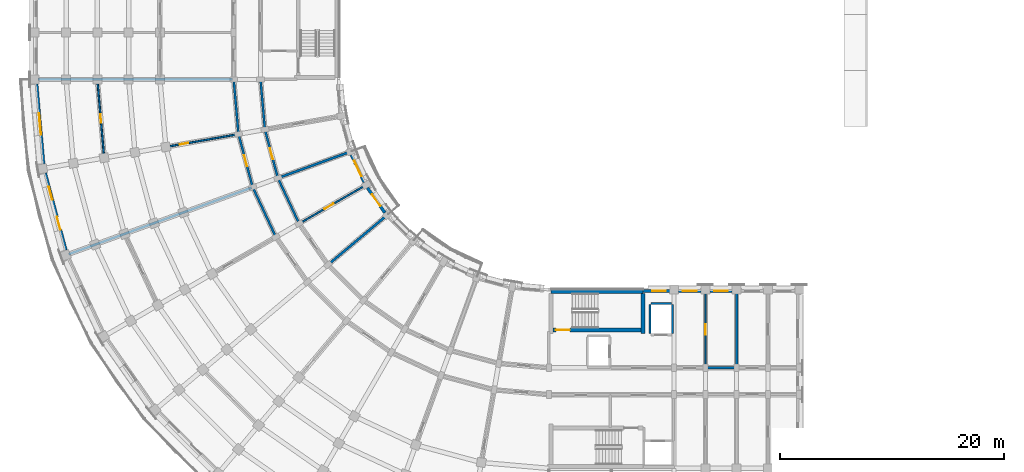
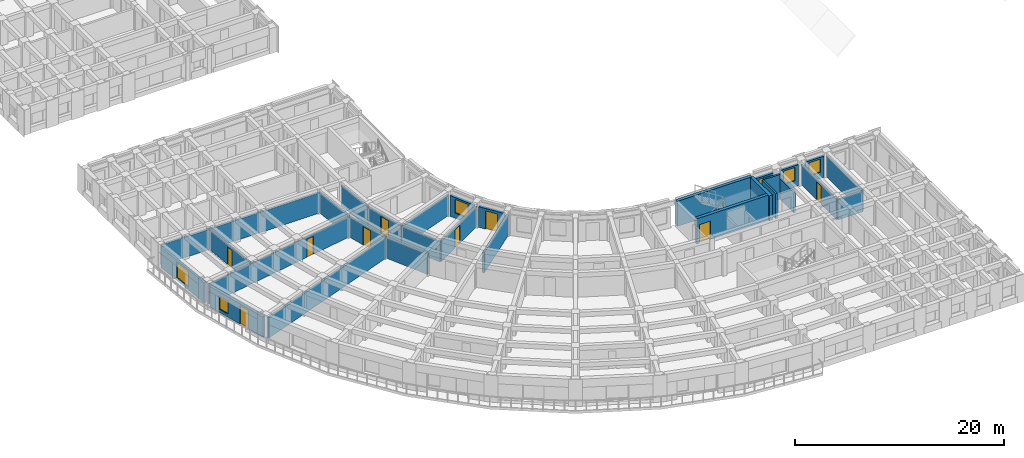
# One storey, part 18 of 54: 29 walls, 9 doors, 6 windows, 15 openings.
"""IFC4 building model written with IfcOpenShell, lengths in metres."""

from ifc_helpers import new_model, si_unit, direction, frame, frame_2d, origin, place, context, subcontext, project, spatial, rectangle, extrude, material, layer, layer_set, type_object, element, fill, save


model = new_model("IFC4")

# Units and contexts
model_context = context("Model", 3, precision=1e-05, world=origin(), true_north=direction((0.0, 1.0)))
body_context = subcontext(model_context, "Body", "Model", "MODEL_VIEW")
ifc_project = project(units=[si_unit("LENGTHUNIT", "METRE"), si_unit("AREAUNIT", "SQUARE_METRE"), si_unit("VOLUMEUNIT", "CUBIC_METRE"), si_unit("PLANEANGLEUNIT", "RADIAN"), si_unit("MASSUNIT", "GRAM", prefix="KILO")], contexts=[model_context])

# Site, building, storey
site_placement = place(None, origin())
site = spatial("IfcSite", under=ifc_project, at=site_placement, CompositionType="ELEMENT")
building_placement = place(site_placement, origin())
building = spatial("IfcBuilding", under=site, at=building_placement, Name="Kiranvali Square Residences", CompositionType="ELEMENT")
storey_placement = place(building_placement, frame((0.0, 0.0, 11.85009765625)))
storey = spatial("IfcBuildingStorey", under=building, at=storey_placement, Name="L03", CompositionType="ELEMENT", Elevation=11.85009765625)

# Walls
ifc_material_1 = material(Name="Autoclaved aerated concrete blockwork masonry", Category="masonry")
ifc_layer_1 = layer(ifc_material_1, 0.199951171875)
ifc_layer_set_1 = layer_set([ifc_layer_1], Name="Autoclaved aerated concrete blockwork masonry")
wall_type_1 = type_object("IfcWallType", Name="WL-COR-200", PredefinedType="STANDARD", material=ifc_layer_set_1)
wall_1_placement = place(storey_placement, frame((62.199951171875, 22.39990234375, 0.0), z_axis=(0.0, 0.0, 1.0), x_axis=(1.0, 0.0, 0.0)))
element("IfcWall", 1, at=wall_1_placement, inside=storey, type_object=wall_type_1, Name="L03 architectural wall WL-L03-C-A1CI-1", PredefinedType="STANDARD", context=body_context, shape_type="SweptSolid", body=[
    extrude(rectangle(XDim=2.800048828125, YDim=0.199951171875, at=frame_2d((1.39990234375, 0.0))), origin(), (0.0, 0.0, 1.0), 2.371826171875),
])
wall_2_placement = place(storey_placement, frame((25.8564453125, 35.300048828125, 0.0), z_axis=(0.0, 0.0, 1.0), x_axis=(-0.422617978463, 0.906307919131, 0.0)))
element("IfcWall", 2, at=wall_2_placement, inside=storey, type_object=wall_type_1, Name="L03 architectural wall WL-L03-C-CCI-6", PredefinedType="STANDARD", context=body_context, shape_type="SweptSolid", body=[
    extrude(rectangle(XDim=4.497314453125, YDim=0.199951171875, at=frame_2d((2.24853515625, 0.0))), origin(), (0.0, 0.0, 1.0), 2.371826171875),
])
wall_3_placement = place(storey_placement, frame((23.778076171875, 34.10009765625, 0.0), z_axis=(0.0, 0.0, 1.0), x_axis=(-0.422629854778, 0.906302381024, 0.0)))
element("IfcWall", 3, at=wall_3_placement, inside=storey, type_object=wall_type_1, Name="L03 architectural wall WL-L03-C-CCO-6", PredefinedType="STANDARD", context=body_context, shape_type="SweptSolid", body=[
    extrude(rectangle(XDim=4.915283203125, YDim=0.199951171875, at=frame_2d((2.45751953125, 0.0))), origin(), (0.0, 0.0, 1.0), 2.371826171875),
])

# Wall, opening, door
wall_4_placement = place(storey_placement, frame((23.955810546875, 39.3759765625, 0.0), z_axis=(0.0, 0.0, 1.0), x_axis=(-0.258787642463, 0.965934240054, 0.0)))
wall_4 = element("IfcWall", 4, at=wall_4_placement, inside=storey, type_object=wall_type_1, Name="L03 architectural wall WL-L03-C-CCI-7", PredefinedType="STANDARD", context=body_context, shape_type="SweptSolid", body=[
    extrude(rectangle(XDim=4.497314453125, YDim=0.199951171875, at=frame_2d((2.24853515625, 0.0))), origin(), (0.0, 0.0, 1.0), 2.371826171875),
])
opening_1_placement = place(wall_4_placement, frame((1.728515625, 0.0, 0.0)))
opening_1 = element("IfcOpeningElement", 5, at=opening_1_placement, cuts=wall_4, Name="Opening FD-APT-60B", PredefinedType="OPENING", context=body_context, shape_type="SweptSolid", body=[
    extrude(rectangle(XDim=1.0400390625, YDim=2.14990234375, at=frame_2d((0.52001953125, 1.074951171875))), frame((0.0, 0.10986328125, 0.0), z_axis=(0.0, -1.0, 0.0), x_axis=(1.0, 0.0, 0.0)), (0.0, 0.0, 1.0), 0.219970703125),
])
ifc_material_2 = material(Name="Fire-rated acoustic hardwood and mineral-core door assembly", Category="wood")
door_type_1 = type_object("IfcDoorType", Name="DR-APT-1040", OperationType="NOTDEFINED", PredefinedType="DOOR", material=ifc_material_2)
door_1_placement = place(opening_1_placement, origin())
door_1 = element("IfcDoor", 6, at=door_1_placement, inside=storey, type_object=door_type_1, Name="L03 door DR-L03-1955 (DR-APT-1040)", OperationType="SINGLE_SWING_LEFT", OverallHeight=2.14990234375, OverallWidth=1.0400390625, PredefinedType="DOOR", context=body_context, shape_type="SweptSolid", body=[
    extrude(rectangle(XDim=1.0400390625, YDim=2.14990234375, at=frame_2d((0.52001953125, 1.074951171875))), frame((0.0, 0.02490234375, 0.0), z_axis=(0.0, -1.0, 0.0), x_axis=(1.0, 0.0, 0.0)), (0.0, 0.0, 1.0), 0.050048828125),
])
fill(opening_1, door_1)

wall_5_placement = place(storey_placement, frame((21.70068359375, 38.554931640625, 0.0), z_axis=(0.0, 0.0, 1.0), x_axis=(-0.258803112091, 0.965930095386, 0.0)))
wall_5 = element("IfcWall", 7, at=wall_5_placement, inside=storey, type_object=wall_type_1, Name="L03 architectural wall WL-L03-C-CCO-7", PredefinedType="STANDARD", context=body_context, shape_type="SweptSolid", body=[
    extrude(rectangle(XDim=4.915771484375, YDim=0.199951171875, at=frame_2d((2.4580078125, 0.0))), origin(), (0.0, 0.0, 1.0), 2.371826171875),
])
opening_2_placement = place(wall_5_placement, frame((1.957763671875, 0.0, 0.0)))
opening_2 = element("IfcOpeningElement", 8, at=opening_2_placement, cuts=wall_5, Name="Opening FD-APT-60", PredefinedType="OPENING", context=body_context, shape_type="SweptSolid", body=[
    extrude(rectangle(XDim=1.0, YDim=2.14990234375, at=frame_2d((0.5, 1.074951171875))), frame((0.0, 0.10986328125, 0.0), z_axis=(0.0, -1.0, 0.0), x_axis=(1.0, 0.0, 0.0)), (0.0, 0.0, 1.0), 0.219970703125),
])
door_type_2 = type_object("IfcDoorType", Name="DR-APT-1000", OperationType="NOTDEFINED", PredefinedType="DOOR", material=ifc_material_2)
door_2_placement = place(opening_2_placement, frame((1.0, 0.0, 0.0), z_axis=(0.0, 0.0, 1.0), x_axis=(-1.0, 0.0, 0.0)))
door_2 = element("IfcDoor", 9, at=door_2_placement, inside=storey, type_object=door_type_2, Name="L03 door DR-L03-1950 (DR-APT-1000)", OperationType="SINGLE_SWING_RIGHT", OverallHeight=2.14990234375, OverallWidth=1.0, PredefinedType="DOOR", context=body_context, shape_type="SweptSolid", body=[
    extrude(rectangle(XDim=1.0, YDim=2.14990234375, at=frame_2d((0.5, 1.074951171875))), frame((0.0, 0.02490234375, 0.0), z_axis=(0.0, -1.0, 0.0), x_axis=(1.0, 0.0, 0.0)), (0.0, 0.0, 1.0), 0.050048828125),
])
fill(opening_2, door_2)

# Walls
wall_6_placement = place(storey_placement, frame((22.7919921875, 43.719970703125, 0.0), z_axis=(0.0, 0.0, 1.0), x_axis=(-0.087187153726, 0.996191949488, 0.0)))
element("IfcWall", 10, at=wall_6_placement, inside=storey, type_object=wall_type_1, Name="L03 architectural wall WL-L03-C-CCI-8", PredefinedType="STANDARD", context=body_context, shape_type="SweptSolid", body=[
    extrude(rectangle(XDim=4.4970703125, YDim=0.199951171875, at=frame_2d((2.24853515625, 0.0))), origin(), (0.0, 0.0, 1.0), 2.371826171875),
])
wall_7_placement = place(storey_placement, frame((20.428466796875, 43.30322265625, 0.0), z_axis=(0.0, 0.0, 1.0), x_axis=(-0.087167566415, 0.996193663584, 0.0)))
element("IfcWall", 11, at=wall_7_placement, inside=storey, type_object=wall_type_1, Name="L03 architectural wall WL-L03-C-CCO-8", PredefinedType="STANDARD", context=body_context, shape_type="SweptSolid", body=[
    extrude(rectangle(XDim=4.91552734375, YDim=0.199951171875, at=frame_2d((2.457763671875, 0.0))), origin(), (0.0, 0.0, 1.0), 2.371826171875),
])
ifc_layer_2 = layer(ifc_material_1, 0.219970703125)
ifc_layer_set_2 = layer_set([ifc_layer_2], Name="Autoclaved aerated concrete blockwork masonry")
wall_type_2 = type_object("IfcWallType", Name="WL-DEM-220", PredefinedType="STANDARD", material=ifc_layer_set_2)
for number, where, z_axis, x_axis, name in (
    (12, (65.0, 29.199951171875, 0.0), (0.0, 0.0, 1.0), (0.0, -1.0, 0.0), "L03 architectural wall WL-L03-C-A1TI-2"),
    (13, (33.645263671875, 35.987060546875, 0.0), (0.0, 0.0, 1.0), (-0.766046761698, -0.642784846501, 0.0), "L03 architectural wall WL-L03-C-RADI-5"),
    (14, (30.345947265625, 41.70166015625, 0.0), (0.0, 0.0, 1.0), (-0.939696231917, -0.342010221662, 0.0), "L03 architectural wall WL-L03-C-RADI-7"),
):
    element("IfcWall", number, at=place(storey_placement, frame(where, z_axis=z_axis, x_axis=x_axis)), inside=storey, type_object=wall_type_2, Name=name, PredefinedType="STANDARD", context=body_context, shape_type="SweptSolid", body=[
        extrude(rectangle(XDim=6.75, YDim=0.219970703125, at=frame_2d((3.375, 0.0))), origin(), (0.0, 0.0, 1.0), 2.371826171875),
    ])
ifc_layer_3 = layer(ifc_material_1, 0.22998046875)
ifc_layer_set_3 = layer_set([ifc_layer_3], Name="Autoclaved aerated concrete blockwork masonry")
wall_type_3 = type_object("IfcWallType", Name="WL-DEM-230", PredefinedType="STANDARD", material=ifc_layer_set_3)
for number, where, z_axis, x_axis, name in (
    (15, (21.606689453125, 38.520751953125, 0.0), (0.0, 0.0, 1.0), (-0.939691901159, -0.342022120477, 0.0), "L03 architectural wall WL-L03-C-RADO-7"),
    (16, (19.89990234375, 48.199951171875, 0.0), (0.0, 0.0, 1.0), (-1.0, 0.0, 0.0), "L03 architectural wall WL-L03-C-RADO-9"),
):
    element("IfcWall", number, at=place(storey_placement, frame(where, z_axis=z_axis, x_axis=x_axis)), inside=storey, type_object=wall_type_3, Name=name, PredefinedType="STANDARD", context=body_context, shape_type="SweptSolid", body=[
        extrude(rectangle(XDim=17.419921875, YDim=0.22998046875, at=frame_2d((8.7099609375, 0.0))), origin(), (0.0, 0.0, 1.0), 2.371826171875),
    ])

# Wall, openings, door, window
ifc_material_3 = material(Name="Breathable lime-rendered clay brick masonry", Category="masonry")
ifc_layer_4 = layer(ifc_material_3, 0.27490234375)
ifc_layer_set_4 = layer_set([ifc_layer_4], Name="Breathable lime-rendered clay brick masonry")
wall_type_4 = type_object("IfcWallType", Name="WL-EXT-275", PredefinedType="STANDARD", material=ifc_layer_set_4)
wall_8_placement = place(storey_placement, frame((4.984375, 32.912109375, 0.0), z_axis=(0.0, 0.0, 1.0), x_axis=(-0.258826933296, 0.965923712619, 0.0)))
wall_8 = element("IfcWall", 17, at=wall_8_placement, inside=storey, type_object=wall_type_4, Name="L03 exterior wall C-L03-CRV-07", PredefinedType="STANDARD", context=body_context, shape_type="SweptSolid", body=[
    extrude(rectangle(XDim=7.1640625, YDim=0.27490234375, at=frame_2d((3.58203125, 0.0))), origin(), (0.0, 0.0, 1.0), 2.371826171875),
])
opening_3_placement = place(wall_8_placement, frame((4.6904296875, 0.0, 0.3720703125)))
opening_3 = element("IfcOpeningElement", 18, at=opening_3_placement, cuts=wall_8, Name="Opening W-06", PredefinedType="OPENING", context=body_context, shape_type="SweptSolid", body=[
    extrude(rectangle(XDim=1.199951171875, YDim=1.5, at=frame_2d((0.60009765625, 0.75))), frame((0.0, 0.1474609375, 0.0), z_axis=(0.0, -1.0, 0.0), x_axis=(1.0, 0.0, 0.0)), (0.0, 0.0, 1.0), 0.294921875),
])
opening_4_placement = place(wall_8_placement, frame((1.907470703125, 0.0, 0.0)))
opening_4 = element("IfcOpeningElement", 19, at=opening_4_placement, cuts=wall_8, Name="Opening ED-BAL-1", PredefinedType="OPENING", context=body_context, shape_type="SweptSolid", body=[
    extrude(rectangle(XDim=1.199951171875, YDim=2.14990234375, at=frame_2d((0.60009765625, 1.074951171875))), frame((0.0, 0.1474609375, 0.0), z_axis=(0.0, -1.0, 0.0), x_axis=(1.0, 0.0, 0.0)), (0.0, 0.0, 1.0), 0.294921875),
])
ifc_material_4 = material(Name="Anodised bronze aluminium framing", Category="aluminium")
door_type_3 = type_object("IfcDoorType", Name="DR-BAL-1200", OperationType="NOTDEFINED", PredefinedType="DOOR", material=ifc_material_4)
door_3_placement = place(opening_4_placement, origin())
door_3 = element("IfcDoor", 20, at=door_3_placement, inside=storey, type_object=door_type_3, Name="L03 balcony terrace door", OperationType="SINGLE_SWING_LEFT", OverallHeight=2.14990234375, OverallWidth=1.199951171875, PredefinedType="DOOR", context=body_context, shape_type="SweptSolid", body=[
    extrude(rectangle(XDim=1.199951171875, YDim=2.14990234375, at=frame_2d((0.60009765625, 1.074951171875))), frame((0.0, 0.02490234375, 0.0), z_axis=(0.0, -1.0, 0.0), x_axis=(1.0, 0.0, 0.0)), (0.0, 0.0, 1.0), 0.050048828125),
])
fill(opening_4, door_3)
ifc_material_5 = material(Name="Solar-control low-e double glazing", Category="glass")
window_type_1 = type_object("IfcWindowType", Name="WIN-RES-1200x1500", PartitioningType="SINGLE_PANEL", PredefinedType="WINDOW", material=ifc_material_5)
window_1_placement = place(opening_3_placement, origin())
window_1 = element("IfcWindow", 21, at=window_1_placement, inside=storey, type_object=window_type_1, Name="L03 recessed window C-L03-CRV-07", OverallHeight=1.5, OverallWidth=1.199951171875, PartitioningType="SINGLE_PANEL", PredefinedType="WINDOW", context=body_context, shape_type="SweptSolid", body=[
    extrude(rectangle(XDim=1.199951171875, YDim=1.5, at=frame_2d((0.60009765625, 0.75))), frame((0.0, 0.030029296875, 0.0), z_axis=(0.0, -1.0, 0.0), x_axis=(1.0, 0.0, 0.0)), (0.0, 0.0, 1.0), 0.06005859375),
])
fill(opening_3, window_1)

# Wall, opening, window
wall_9_placement = place(storey_placement, frame((2.986083984375, 40.648681640625, 0.0), z_axis=(0.0, 0.0, 1.0), x_axis=(-0.08713989423, 0.99619608453, 0.0)))
wall_9 = element("IfcWall", 22, at=wall_9_placement, inside=storey, type_object=wall_type_4, Name="L03 exterior wall C-L03-CRV-08", PredefinedType="STANDARD", context=body_context, shape_type="SweptSolid", body=[
    extrude(rectangle(XDim=7.1640625, YDim=0.27490234375, at=frame_2d((3.58203125, 0.0))), origin(), (0.0, 0.0, 1.0), 2.371826171875),
])
opening_5_placement = place(wall_9_placement, frame((2.60693359375, 0.0, 0.322021484375)))
opening_5 = element("IfcOpeningElement", 23, at=opening_5_placement, cuts=wall_9, Name="Opening W-12", PredefinedType="OPENING", context=body_context, shape_type="SweptSolid", body=[
    extrude(rectangle(XDim=1.949951171875, YDim=1.85009765625, at=frame_2d((0.97509765625, 0.925048828125))), frame((0.0, 0.1474609375, 0.0), z_axis=(0.0, -1.0, 0.0), x_axis=(1.0, 0.0, 0.0)), (0.0, 0.0, 1.0), 0.294921875),
])
window_type_2 = type_object("IfcWindowType", Name="WIN-RES-1950x1850", PartitioningType="DOUBLE_PANEL_VERTICAL", PredefinedType="WINDOW", material=ifc_material_5)
window_2_placement = place(opening_5_placement, origin())
window_2 = element("IfcWindow", 24, at=window_2_placement, inside=storey, type_object=window_type_2, Name="L03 recessed window C-L03-CRV-08", OverallHeight=1.85009765625, OverallWidth=1.949951171875, PartitioningType="DOUBLE_PANEL_VERTICAL", PredefinedType="WINDOW", context=body_context, shape_type="SweptSolid", body=[
    extrude(rectangle(XDim=1.949951171875, YDim=1.85009765625, at=frame_2d((0.97509765625, 0.925048828125))), frame((0.0, 0.030029296875, 0.0), z_axis=(0.0, -1.0, 0.0), x_axis=(1.0, 0.0, 0.0)), (0.0, 0.0, 1.0), 0.06005859375),
])
fill(opening_5, window_2)

# Wall, opening, door
wall_10_placement = place(storey_placement, frame((33.535400390625, 36.27294921875, 0.0), z_axis=(0.0, 0.0, 1.0), x_axis=(-0.573546755948, 0.81917282593, 0.0)))
wall_10 = element("IfcWall", 25, at=wall_10_placement, inside=storey, type_object=wall_type_4, Name="L03 exterior wall C-L03-GDN-05", PredefinedType="STANDARD", context=body_context, shape_type="SweptSolid", body=[
    extrude(rectangle(XDim=2.717529296875, YDim=0.27490234375, at=frame_2d((1.35888671875, 0.0))), origin(), (0.0, 0.0, 1.0), 2.421875),
])
opening_6_placement = place(wall_10_placement, frame((0.728759765625, 0.0, 0.0)))
opening_6 = element("IfcOpeningElement", 26, at=opening_6_placement, cuts=wall_10, Name="Opening ED-BAL-2", PredefinedType="OPENING", context=body_context, shape_type="SweptSolid", body=[
    extrude(rectangle(XDim=1.260009765625, YDim=2.14990234375, at=frame_2d((0.6298828125, 1.074951171875))), frame((0.0, 0.1474609375, 0.0), z_axis=(0.0, -1.0, 0.0), x_axis=(1.0, 0.0, 0.0)), (0.0, 0.0, 1.0), 0.294921875),
])
door_type_4 = type_object("IfcDoorType", Name="DR-BAL-1260", OperationType="NOTDEFINED", PredefinedType="DOOR", material=ifc_material_4)
door_4_placement = place(opening_6_placement, frame((1.260009765625, 0.0, 0.0), z_axis=(0.0, 0.0, 1.0), x_axis=(-1.0, 0.0, 0.0)))
door_4 = element("IfcDoor", 27, at=door_4_placement, inside=storey, type_object=door_type_4, Name="L03 balcony terrace door", OperationType="SINGLE_SWING_LEFT", OverallHeight=2.14990234375, OverallWidth=1.260009765625, PredefinedType="DOOR", context=body_context, shape_type="SweptSolid", body=[
    extrude(rectangle(XDim=1.260009765625, YDim=2.14990234375, at=frame_2d((0.6298828125, 1.074951171875))), frame((0.0, 0.02490234375, 0.0), z_axis=(0.0, -1.0, 0.0), x_axis=(1.0, 0.0, 0.0)), (0.0, 0.0, 1.0), 0.050048828125),
])
fill(opening_6, door_4)

# Wall, opening, window
wall_11_placement = place(storey_placement, frame((31.687255859375, 39.000732421875, 0.0), z_axis=(0.0, 0.0, 1.0), x_axis=(-0.422610022166, 0.906311629168, 0.0)))
wall_11 = element("IfcWall", 28, at=wall_11_placement, inside=storey, type_object=wall_type_4, Name="L03 exterior wall C-L03-GDN-06", PredefinedType="STANDARD", context=body_context, shape_type="SweptSolid", body=[
    extrude(rectangle(XDim=2.717529296875, YDim=0.27490234375, at=frame_2d((1.35888671875, 0.0))), origin(), (0.0, 0.0, 1.0), 2.421875),
])
opening_7_placement = place(wall_11_placement, frame((0.583740234375, 0.0, 0.6220703125)))
opening_7 = element("IfcOpeningElement", 29, at=opening_7_placement, cuts=wall_11, Name="Opening W-18", PredefinedType="OPENING", context=body_context, shape_type="SweptSolid", body=[
    extrude(rectangle(XDim=1.550048828125, YDim=1.60009765625, at=frame_2d((0.77490234375, 0.800048828125))), frame((0.0, 0.1474609375, 0.0), z_axis=(0.0, -1.0, 0.0), x_axis=(1.0, 0.0, 0.0)), (0.0, 0.0, 1.0), 0.294921875),
])
window_type_3 = type_object("IfcWindowType", Name="WIN-GDN-1550x1600", PartitioningType="DOUBLE_PANEL_VERTICAL", PredefinedType="WINDOW", material=ifc_material_5)
window_3_placement = place(opening_7_placement, origin())
window_3 = element("IfcWindow", 30, at=window_3_placement, inside=storey, type_object=window_type_3, Name="L03 recessed window C-L03-GDN-06", OverallHeight=1.60009765625, OverallWidth=1.550048828125, PartitioningType="DOUBLE_PANEL_VERTICAL", PredefinedType="WINDOW", context=body_context, shape_type="SweptSolid", body=[
    extrude(rectangle(XDim=1.550048828125, YDim=1.60009765625, at=frame_2d((0.77490234375, 0.800048828125))), frame((0.0, 0.030029296875, 0.0), z_axis=(0.0, -1.0, 0.0), x_axis=(1.0, 0.0, 0.0)), (0.0, 0.0, 1.0), 0.06005859375),
])
fill(opening_7, window_3)

wall_12_placement = place(storey_placement, frame((56.62841796875, 29.27490234375, 0.0), z_axis=(0.0, 0.0, 1.0), x_axis=(1.0, 0.0, 0.0)))
wall_12 = element("IfcWall", 31, at=wall_12_placement, inside=storey, type_object=wall_type_4, Name="L03 exterior wall C-L03-A1IN-0", PredefinedType="STANDARD", context=body_context, shape_type="SweptSolid", body=[
    extrude(rectangle(XDim=2.421630859375, YDim=0.27490234375, at=frame_2d((1.2109375, 0.0))), origin(), (0.0, 0.0, 1.0), 2.471923828125),
])
opening_8_placement = place(wall_12_placement, frame((0.821533203125, 0.0, 0.77197265625)))
opening_8 = element("IfcOpeningElement", 32, at=opening_8_placement, cuts=wall_12, Name="Opening W-06", PredefinedType="OPENING", context=body_context, shape_type="SweptSolid", body=[
    extrude(rectangle(XDim=1.199951171875, YDim=1.5, at=frame_2d((0.60009765625, 0.75))), frame((0.0, 0.1474609375, 0.0), z_axis=(0.0, -1.0, 0.0), x_axis=(1.0, 0.0, 0.0)), (0.0, 0.0, 1.0), 0.294921875),
])
window_4_placement = place(opening_8_placement, origin())
window_4 = element("IfcWindow", 33, at=window_4_placement, inside=storey, type_object=window_type_1, Name="L03 recessed window C-L03-A1IN-0", OverallHeight=1.5, OverallWidth=1.199951171875, PartitioningType="SINGLE_PANEL", PredefinedType="WINDOW", context=body_context, shape_type="SweptSolid", body=[
    extrude(rectangle(XDim=1.199951171875, YDim=1.5, at=frame_2d((0.60009765625, 0.75))), frame((0.0, 0.030029296875, 0.0), z_axis=(0.0, -1.0, 0.0), x_axis=(1.0, 0.0, 0.0)), (0.0, 0.0, 1.0), 0.06005859375),
])
fill(opening_8, window_4)

wall_13_placement = place(storey_placement, frame((59.803466796875, 29.27490234375, 0.0), z_axis=(0.0, 0.0, 1.0), x_axis=(1.0, 0.0, 0.0)))
wall_13 = element("IfcWall", 34, at=wall_13_placement, inside=storey, type_object=wall_type_4, Name="L03 exterior wall C-L03-A1I-0", PredefinedType="STANDARD", context=body_context, shape_type="SweptSolid", body=[
    extrude(rectangle(XDim=1.992919921875, YDim=0.27490234375, at=frame_2d((0.99658203125, 0.0))), origin(), (0.0, 0.0, 1.0), 2.471923828125),
])
opening_9_placement = place(wall_13_placement, frame((0.37158203125, 0.0, 0.721923828125)))
opening_9 = element("IfcOpeningElement", 35, at=opening_9_placement, cuts=wall_13, Name="Opening W-19", PredefinedType="OPENING", context=body_context, shape_type="SweptSolid", body=[
    extrude(rectangle(XDim=1.25, YDim=1.550048828125, at=frame_2d((0.625, 0.77490234375))), frame((0.0, 0.1474609375, 0.0), z_axis=(0.0, -1.0, 0.0), x_axis=(1.0, 0.0, 0.0)), (0.0, 0.0, 1.0), 0.294921875),
])
window_type_4 = type_object("IfcWindowType", Name="WIN-GDN-1250x1550", PartitioningType="SINGLE_PANEL", PredefinedType="WINDOW", material=ifc_material_5)
window_5_placement = place(opening_9_placement, origin())
window_5 = element("IfcWindow", 36, at=window_5_placement, inside=storey, type_object=window_type_4, Name="L03 recessed window C-L03-A1I-0", OverallHeight=1.550048828125, OverallWidth=1.25, PartitioningType="SINGLE_PANEL", PredefinedType="WINDOW", context=body_context, shape_type="SweptSolid", body=[
    extrude(rectangle(XDim=1.25, YDim=1.550048828125, at=frame_2d((0.625, 0.77490234375))), frame((0.0, 0.030029296875, 0.0), z_axis=(0.0, -1.0, 0.0), x_axis=(1.0, 0.0, 0.0)), (0.0, 0.0, 1.0), 0.06005859375),
])
fill(opening_9, window_5)

wall_14_placement = place(storey_placement, frame((62.603515625, 29.27490234375, 0.0), z_axis=(0.0, 0.0, 1.0), x_axis=(1.0, 0.0, 0.0)))
wall_14 = element("IfcWall", 37, at=wall_14_placement, inside=storey, type_object=wall_type_4, Name="L03 exterior wall C-L03-A1I-1", PredefinedType="STANDARD", context=body_context, shape_type="SweptSolid", body=[
    extrude(rectangle(XDim=1.992919921875, YDim=0.27490234375, at=frame_2d((0.99658203125, 0.0))), origin(), (0.0, 0.0, 1.0), 2.471923828125),
])
opening_10_placement = place(wall_14_placement, frame((0.37158203125, 0.0, 0.721923828125)))
opening_10 = element("IfcOpeningElement", 38, at=opening_10_placement, cuts=wall_14, Name="Opening W-19", PredefinedType="OPENING", context=body_context, shape_type="SweptSolid", body=[
    extrude(rectangle(XDim=1.25, YDim=1.550048828125, at=frame_2d((0.625, 0.77490234375))), frame((0.0, 0.1474609375, 0.0), z_axis=(0.0, -1.0, 0.0), x_axis=(1.0, 0.0, 0.0)), (0.0, 0.0, 1.0), 0.294921875),
])
window_6_placement = place(opening_10_placement, origin())
window_6 = element("IfcWindow", 39, at=window_6_placement, inside=storey, type_object=window_type_4, Name="L03 recessed window C-L03-A1I-1", OverallHeight=1.550048828125, OverallWidth=1.25, PartitioningType="SINGLE_PANEL", PredefinedType="WINDOW", context=body_context, shape_type="SweptSolid", body=[
    extrude(rectangle(XDim=1.25, YDim=1.550048828125, at=frame_2d((0.625, 0.77490234375))), frame((0.0, 0.030029296875, 0.0), z_axis=(0.0, -1.0, 0.0), x_axis=(1.0, 0.0, 0.0)), (0.0, 0.0, 1.0), 0.06005859375),
])
fill(opening_10, window_6)

# Wall, opening, door
ifc_material_6 = material(Name="Acoustic gypsum board drylined partition", Category="gypsum")
ifc_layer_5 = layer(ifc_material_6, 0.14990234375)
ifc_layer_set_5 = layer_set([ifc_layer_5], Name="Acoustic gypsum board drylined partition")
wall_type_5 = type_object("IfcWallType", Name="WL-PRT-150", PredefinedType="PARTITIONING", material=ifc_layer_set_5)
wall_15_placement = place(storey_placement, frame((62.199951171875, 29.199951171875, 0.0), z_axis=(0.0, 0.0, 1.0), x_axis=(0.0, -1.0, 0.0)))
wall_15 = element("IfcWall", 40, at=wall_15_placement, inside=storey, type_object=wall_type_5, Name="L03 architectural wall WL-L03-C-A1TI-1", PredefinedType="PARTITIONING", context=body_context, shape_type="SweptSolid", body=[
    extrude(rectangle(XDim=6.75, YDim=0.14990234375, at=frame_2d((3.375, 0.0))), origin(), (0.0, 0.0, 1.0), 2.371826171875),
])
opening_11_placement = place(wall_15_placement, frame((2.925048828125, 0.0, 0.0)))
opening_11 = element("IfcOpeningElement", 41, at=opening_11_placement, cuts=wall_15, Name="Opening ID-1", PredefinedType="OPENING", context=body_context, shape_type="SweptSolid", body=[
    extrude(rectangle(XDim=0.89990234375, YDim=2.10009765625, at=frame_2d((0.449951171875, 1.050048828125))), frame((0.0, 0.0849609375, 0.0), z_axis=(0.0, -1.0, 0.0), x_axis=(1.0, 0.0, 0.0)), (0.0, 0.0, 1.0), 0.169921875),
])
ifc_material_7 = material(Name="Solid seasoned teak hardwood joinery", Category="wood")
door_type_5 = type_object("IfcDoorType", Name="DR-INT-900", OperationType="NOTDEFINED", PredefinedType="DOOR", material=ifc_material_7)
door_5_placement = place(opening_11_placement, frame((0.89990234375, 0.0, 0.0), z_axis=(0.0, 0.0, 1.0), x_axis=(-1.0, 0.0, 0.0)))
door_5 = element("IfcDoor", 42, at=door_5_placement, inside=storey, type_object=door_type_5, Name="L03 door DR-L03-1926 (DR-INT-900)", OperationType="SINGLE_SWING_RIGHT", OverallHeight=2.10009765625, OverallWidth=0.89990234375, PredefinedType="DOOR", context=body_context, shape_type="SweptSolid", body=[
    extrude(rectangle(XDim=0.89990234375, YDim=2.10009765625, at=frame_2d((0.449951171875, 1.050048828125))), frame((0.0, 0.02490234375, 0.0), z_axis=(0.0, -1.0, 0.0), x_axis=(1.0, 0.0, 0.0)), (0.0, 0.0, 1.0), 0.050048828125),
])
fill(opening_11, door_5)

wall_16_placement = place(storey_placement, frame((31.74560546875, 38.699951171875, 0.0), z_axis=(0.0, 0.0, 1.0), x_axis=(-0.866026575979, -0.499997969693, 0.0)))
wall_16 = element("IfcWall", 43, at=wall_16_placement, inside=storey, type_object=wall_type_5, Name="L03 architectural wall WL-L03-C-RADI-6", PredefinedType="PARTITIONING", context=body_context, shape_type="SweptSolid", body=[
    extrude(rectangle(XDim=6.75, YDim=0.14990234375, at=frame_2d((3.375, 0.0))), origin(), (0.0, 0.0, 1.0), 2.371826171875),
])
opening_12_placement = place(wall_16_placement, frame((3.242431640625, 0.0, 0.0)))
opening_12 = element("IfcOpeningElement", 44, at=opening_12_placement, cuts=wall_16, Name="Opening ID-2", PredefinedType="OPENING", context=body_context, shape_type="SweptSolid", body=[
    extrude(rectangle(XDim=0.93994140625, YDim=2.10009765625, at=frame_2d((0.469970703125, 1.050048828125))), frame((0.0, 0.0849609375, 0.0), z_axis=(0.0, -1.0, 0.0), x_axis=(1.0, 0.0, 0.0)), (0.0, 0.0, 1.0), 0.169921875),
])
door_type_6 = type_object("IfcDoorType", Name="DR-INT-940", OperationType="NOTDEFINED", PredefinedType="DOOR", material=ifc_material_7)
door_6_placement = place(opening_12_placement, origin())
door_6 = element("IfcDoor", 45, at=door_6_placement, inside=storey, type_object=door_type_6, Name="L03 door DR-L03-1939 (DR-INT-940)", OperationType="SINGLE_SWING_LEFT", OverallHeight=2.10009765625, OverallWidth=0.93994140625, PredefinedType="DOOR", context=body_context, shape_type="SweptSolid", body=[
    extrude(rectangle(XDim=0.93994140625, YDim=2.10009765625, at=frame_2d((0.469970703125, 1.050048828125))), frame((0.0, 0.02490234375, 0.0), z_axis=(0.0, -1.0, 0.0), x_axis=(1.0, 0.0, 0.0)), (0.0, 0.0, 1.0), 0.050048828125),
])
fill(opening_12, door_6)

wall_17_placement = place(storey_placement, frame((20.329833984375, 43.28564453125, 0.0), z_axis=(0.0, 0.0, 1.0), x_axis=(-0.984808098809, -0.173646216546, 0.0)))
wall_17 = element("IfcWall", 46, at=wall_17_placement, inside=storey, type_object=wall_type_5, Name="L03 architectural wall WL-L03-C-RADO-8", PredefinedType="PARTITIONING", context=body_context, shape_type="SweptSolid", body=[
    extrude(rectangle(XDim=17.419921875, YDim=0.14990234375, at=frame_2d((8.7099609375, 0.0))), origin(), (0.0, 0.0, 1.0), 2.371826171875),
])
opening_13_placement = place(wall_17_placement, frame((4.44970703125, 0.0, 0.0)))
opening_13 = element("IfcOpeningElement", 47, at=opening_13_placement, cuts=wall_17, Name="Opening ID-WET", PredefinedType="OPENING", context=body_context, shape_type="SweptSolid", body=[
    extrude(rectangle(XDim=0.800048828125, YDim=2.10009765625, at=frame_2d((0.39990234375, 1.050048828125))), frame((0.0, 0.0849609375, 0.0), z_axis=(0.0, -1.0, 0.0), x_axis=(1.0, 0.0, 0.0)), (0.0, 0.0, 1.0), 0.169921875),
])
door_type_7 = type_object("IfcDoorType", Name="DR-WET-800", OperationType="NOTDEFINED", PredefinedType="DOOR", material=ifc_material_7)
door_7_placement = place(opening_13_placement, frame((0.800048828125, 0.0, 0.0), z_axis=(0.0, 0.0, 1.0), x_axis=(-1.0, 0.0, 0.0)))
door_7 = element("IfcDoor", 48, at=door_7_placement, inside=storey, type_object=door_type_7, Name="L03 door DR-L03-1942 (DR-WET-800)", OperationType="SINGLE_SWING_RIGHT", OverallHeight=2.10009765625, OverallWidth=0.800048828125, PredefinedType="DOOR", context=body_context, shape_type="SweptSolid", body=[
    extrude(rectangle(XDim=0.800048828125, YDim=2.10009765625, at=frame_2d((0.39990234375, 1.050048828125))), frame((0.0, 0.02490234375, 0.0), z_axis=(0.0, -1.0, 0.0), x_axis=(1.0, 0.0, 0.0)), (0.0, 0.0, 1.0), 0.050048828125),
])
fill(opening_13, door_7)

# Walls
ifc_layer_6 = layer(ifc_material_1, 0.199951171875)
ifc_layer_set_6 = layer_set([ifc_layer_6], Name="Autoclaved aerated concrete blockwork masonry")
wall_type_6 = type_object("IfcWallType", Name="WL-SHF-200", PredefinedType="STANDARD", material=ifc_layer_set_6)
wall_18_placement = place(storey_placement, frame((57.25, 28.050048828125, 0.0), z_axis=(0.0, 0.0, 1.0), x_axis=(0.0, -1.0, 0.0)))
element("IfcWall", 49, at=wall_18_placement, inside=storey, type_object=wall_type_6, Name="L03 architectural wall WL-L03-C-LP1-S1", PredefinedType="STANDARD", context=body_context, shape_type="SweptSolid", body=[
    extrude(rectangle(XDim=2.60009765625, YDim=0.199951171875, at=frame_2d((1.300048828125, 0.0))), origin(), (0.0, 0.0, 1.0), 2.929931640625),
])
wall_19_placement = place(storey_placement, frame((59.25, 28.050048828125, 0.0), z_axis=(0.0, 0.0, 1.0), x_axis=(0.0, -1.0, 0.0)))
element("IfcWall", 50, at=wall_19_placement, inside=storey, type_object=wall_type_6, Name="L03 architectural wall WL-L03-C-LP1-B", PredefinedType="STANDARD", context=body_context, shape_type="SweptSolid", body=[
    extrude(rectangle(XDim=2.60009765625, YDim=0.199951171875, at=frame_2d((1.300048828125, 0.0))), origin(), (0.0, 0.0, 1.0), 2.371826171875),
])
wall_20_placement = place(storey_placement, frame((57.35009765625, 28.14990234375, 0.0), z_axis=(0.0, 0.0, 1.0), x_axis=(1.0, 0.0, 0.0)))
element("IfcWall", 51, at=wall_20_placement, inside=storey, type_object=wall_type_6, Name="L03 architectural wall WL-L03-C-LP1-S2", PredefinedType="STANDARD", context=body_context, shape_type="SweptSolid", body=[
    extrude(rectangle(XDim=1.7998046875, YDim=0.199951171875, at=frame_2d((0.89990234375, 0.0))), origin(), (0.0, 0.0, 1.0), 2.929931640625),
])
ifc_material_8 = material(Name="Concrete M50 (50 MPa)", Category="concrete")
ifc_layer_7 = layer(ifc_material_8, 0.35009765625)
ifc_layer_set_7 = layer_set([ifc_layer_7], Name="Concrete M50 (50 MPa)")
wall_type_7 = type_object("IfcWallType", Name="WL-SHR-350", PredefinedType="SHEAR", material=ifc_layer_set_7)
wall_21_placement = place(storey_placement, frame((48.375, 29.22509765625, 0.0), z_axis=(0.0, 0.0, 1.0), x_axis=(1.0, 0.0, 0.0)))
element("IfcWall", 52, at=wall_21_placement, inside=storey, type_object=wall_type_7, Name="Block C core shear wall SW-C2-OUT-L03", PredefinedType="SHEAR", context=body_context, shape_type="SweptSolid", body=[
    extrude(rectangle(XDim=8.25, YDim=0.35009765625, at=frame_2d((4.125, 0.0))), origin(), (0.0, 0.0, 1.0), 2.929931640625),
])

# Wall, opening, door
wall_22_placement = place(storey_placement, frame((48.550048828125, 25.77490234375, 0.0), z_axis=(0.0, 0.0, 1.0), x_axis=(1.0, 0.0, 0.0)))
wall_22 = element("IfcWall", 53, at=wall_22_placement, inside=storey, type_object=wall_type_7, Name="Block C core shear wall SW-C2-IN-L03", PredefinedType="SHEAR", context=body_context, shape_type="SweptSolid", body=[
    extrude(rectangle(XDim=7.89990234375, YDim=0.35009765625, at=frame_2d((3.949951171875, 0.0))), origin(), (0.0, 0.0, 1.0), 2.929931640625),
])
opening_14_placement = place(wall_22_placement, frame((0.280029296875, 0.0, 0.0)))
opening_14 = element("IfcOpeningElement", 54, at=opening_14_placement, cuts=wall_22, Name="Opening FD-ST-120", PredefinedType="OPENING", context=body_context, shape_type="SweptSolid", body=[
    extrude(rectangle(XDim=1.239990234375, YDim=2.14990234375, at=frame_2d((0.6201171875, 1.074951171875))), frame((0.0, 0.18505859375, 0.0), z_axis=(0.0, -1.0, 0.0), x_axis=(1.0, 0.0, 0.0)), (0.0, 0.0, 1.0), 0.3701171875),
])
door_type_8 = type_object("IfcDoorType", Name="DR-FD120-1200", OperationType="NOTDEFINED", PredefinedType="DOOR", material=ifc_material_2)
door_8_placement = place(opening_14_placement, origin())
door_8 = element("IfcDoor", 55, at=door_8_placement, inside=storey, type_object=door_type_8, Name="L03 door DR-L03-1909 (DR-FD120-1200)", OperationType="SINGLE_SWING_LEFT", OverallHeight=2.14990234375, OverallWidth=1.239990234375, PredefinedType="DOOR", context=body_context, shape_type="SweptSolid", body=[
    extrude(rectangle(XDim=1.239990234375, YDim=2.14990234375, at=frame_2d((0.6201171875, 1.074951171875))), frame((0.0, 0.02490234375, 0.0), z_axis=(0.0, -1.0, 0.0), x_axis=(1.0, 0.0, 0.0)), (0.0, 0.0, 1.0), 0.050048828125),
])
fill(opening_14, door_8)

# Wall
wall_23_placement = place(storey_placement, frame((56.625, 29.050048828125, 0.0), z_axis=(0.0, 0.0, 1.0), x_axis=(0.0, -1.0, 0.0)))
element("IfcWall", 56, at=wall_23_placement, inside=storey, type_object=wall_type_7, Name="Block C core shear wall SW-C2-FAR-L03", PredefinedType="SHEAR", context=body_context, shape_type="SweptSolid", body=[
    extrude(rectangle(XDim=3.60009765625, YDim=0.35009765625, at=frame_2d((1.800048828125, 0.0))), origin(), (0.0, 0.0, 1.0), 2.929931640625),
])

# Wall, opening, door
ifc_layer_8 = layer(ifc_material_1, 0.14990234375)
ifc_layer_set_8 = layer_set([ifc_layer_8], Name="Autoclaved aerated concrete blockwork masonry")
wall_type_8 = type_object("IfcWallType", Name="WL-WET-150", PredefinedType="PLUMBINGWALL", material=ifc_layer_set_8)
wall_24_placement = place(storey_placement, frame((8.413818359375, 41.1845703125, 0.0), z_axis=(0.0, 0.0, 1.0), x_axis=(-0.087156198737, 0.996194658198, 0.0)))
wall_24 = element("IfcWall", 57, at=wall_24_placement, inside=storey, type_object=wall_type_8, Name="L03 architectural wall WL-L03-C-CWET-8", PredefinedType="PLUMBINGWALL", context=body_context, shape_type="SweptSolid", body=[
    extrude(rectangle(XDim=7.042236328125, YDim=0.14990234375, at=frame_2d((3.52099609375, 0.0))), origin(), (0.0, 0.0, 1.0), 2.371826171875),
])
opening_15_placement = place(wall_24_placement, frame((3.14111328125, 0.0, 0.0)))
opening_15 = element("IfcOpeningElement", 58, at=opening_15_placement, cuts=wall_24, Name="Opening ID-WET0", PredefinedType="OPENING", context=body_context, shape_type="SweptSolid", body=[
    extrude(rectangle(XDim=0.760009765625, YDim=2.050048828125, at=frame_2d((0.3798828125, 1.02490234375))), frame((0.0, 0.0849609375, 0.0), z_axis=(0.0, -1.0, 0.0), x_axis=(1.0, 0.0, 0.0)), (0.0, 0.0, 1.0), 0.169921875),
])
door_type_9 = type_object("IfcDoorType", Name="DR-WET-760", OperationType="NOTDEFINED", PredefinedType="DOOR", material=ifc_material_7)
door_9_placement = place(opening_15_placement, origin())
door_9 = element("IfcDoor", 59, at=door_9_placement, inside=storey, type_object=door_type_9, Name="L03 door DR-L03-1951 (DR-WET-760)", OperationType="SINGLE_SWING_LEFT", OverallHeight=2.050048828125, OverallWidth=0.760009765625, PredefinedType="DOOR", context=body_context, shape_type="SweptSolid", body=[
    extrude(rectangle(XDim=0.760009765625, YDim=2.050048828125, at=frame_2d((0.3798828125, 1.02490234375))), frame((0.0, 0.02490234375, 0.0), z_axis=(0.0, -1.0, 0.0), x_axis=(1.0, 0.0, 0.0)), (0.0, 0.0, 1.0), 0.050048828125),
])
fill(opening_15, door_9)

save(model, "model.ifc")
